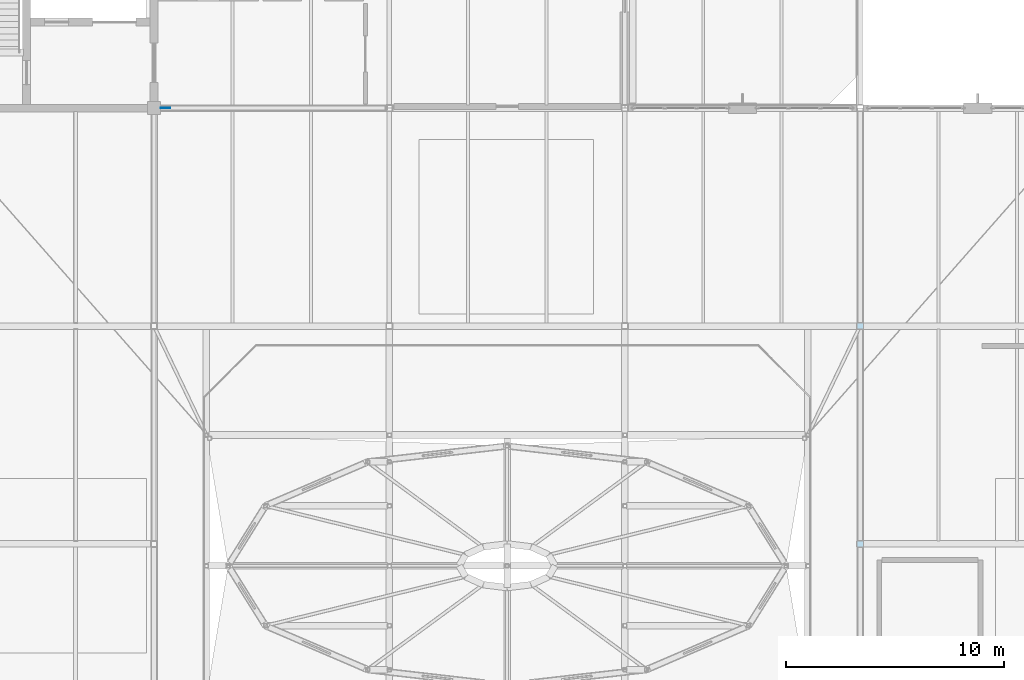
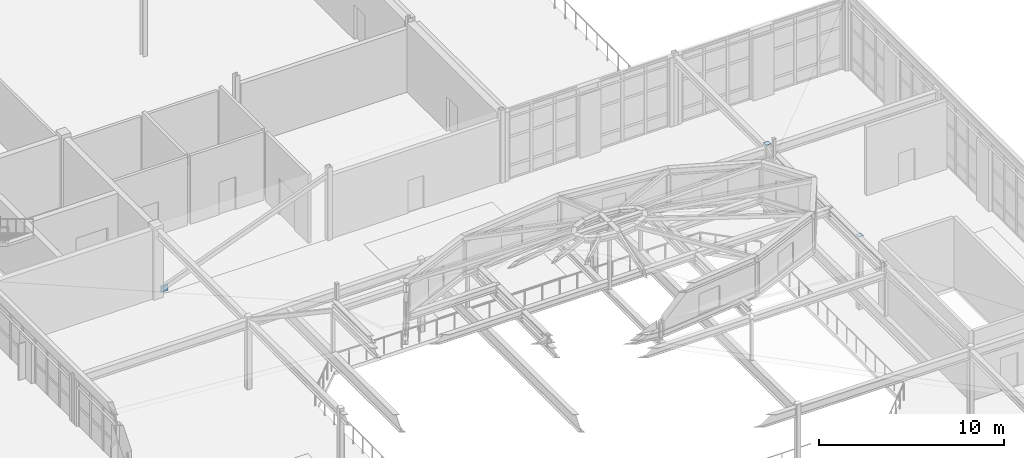
# One storey, part 70 of 86: 3 plates.
"""IFC4 building model written with IfcOpenShell, lengths in metres."""

from ifc_helpers import new_model, si_unit, direction, frame, origin, origin_2d, place, context, subcontext, project, spatial, rectangle, extrude, material, layer, layer_set, type_object, element, save


model = new_model("IFC4")

# Units and contexts
model_context = context("Model", 3, precision=1e-05, world=origin(), true_north=direction((0.0, 1.0)))
body_context = subcontext(model_context, "Body", "Model", "MODEL_VIEW")
ifc_project = project(units=[si_unit("LENGTHUNIT", "METRE"), si_unit("AREAUNIT", "SQUARE_METRE"), si_unit("VOLUMEUNIT", "CUBIC_METRE"), si_unit("PLANEANGLEUNIT", "RADIAN"), si_unit("MASSUNIT", "GRAM", prefix="KILO")], contexts=[model_context])

# Site, building, storey
site_placement = place(None, origin())
site = spatial("IfcSite", under=ifc_project, at=site_placement, CompositionType="ELEMENT")
building_placement = place(site_placement, origin())
building = spatial("IfcBuilding", under=site, at=building_placement, Name="Tasgan Crest Museum", CompositionType="ELEMENT")
storey_placement = place(building_placement, frame((0.0, 0.0, 24.0)))
storey = spatial("IfcBuildingStorey", under=building, at=storey_placement, Name="L04", CompositionType="ELEMENT", Elevation=24.0)

# Plates
ifc_material_1 = material(Name="Steel S355K2", Category="steel")
ifc_layer_1 = layer(ifc_material_1, 0.300048828125, Name="PL-CAP-300x300x16")
ifc_layer_set_1 = layer_set([ifc_layer_1], Name="Steel S355K2")
plate_type_1 = type_object("IfcPlateType", Name="PL-CAP-300x300x16", PredefinedType="USERDEFINED", material=ifc_layer_set_1)
for number, where, z_axis, x_axis, name in (
    (1, (97.199951171875, 62.0, 4.800048828125), (0.0, 0.0, 1.0), (1.0, 0.0, 0.0), "End plate Column 10/G L04 end B"),
    (2, (97.199951171875, 72.0, 4.800048828125), (0.0, 0.0, 1.0), (1.0, 0.0, 0.0), "End plate Column 10/H L04 end B"),
):
    element("IfcPlate", number, at=place(storey_placement, frame(where, z_axis=z_axis, x_axis=x_axis)), inside=storey, type_object=plate_type_1, Name=name, ObjectType="END PLATE", PredefinedType="USERDEFINED", context=body_context, shape_type="SweptSolid", body=[
        extrude(rectangle(XDim=0.300048828125, YDim=0.300048828125, at=origin_2d()), origin(), (0.0, 0.0, 1.0), 0.01611328125),
    ])
ifc_material_2 = material(Name="Steel S355K2", Category="steel")
ifc_layer_2 = layer(ifc_material_2, 0.02001953125, Name="PL-GUSSET-450")
ifc_layer_set_2 = layer_set([ifc_layer_2], Name="Steel S355K2")
plate_type_2 = type_object("IfcPlateType", Name="PL-GUSSET-450", PredefinedType="USERDEFINED", material=ifc_layer_set_2)
plate_placement = place(storey_placement, frame((65.324951171875, 82.0, 0.125), z_axis=(0.0, 0.0, 1.0), x_axis=(1.0, 0.0, 0.0)))
element("IfcPlate", 3, at=plate_placement, inside=storey, type_object=plate_type_2, Name="Diagonal gusset plate L04 J 64.8", ObjectType="GUSSET PLATE", PredefinedType="USERDEFINED", context=body_context, shape_type="SweptSolid", body=[
    extrude(rectangle(XDim=0.449951171875, YDim=0.02001953125, at=origin_2d()), origin(), (0.0, 0.0, 1.0), 0.449951171875),
])

save(model, "model.ifc")
